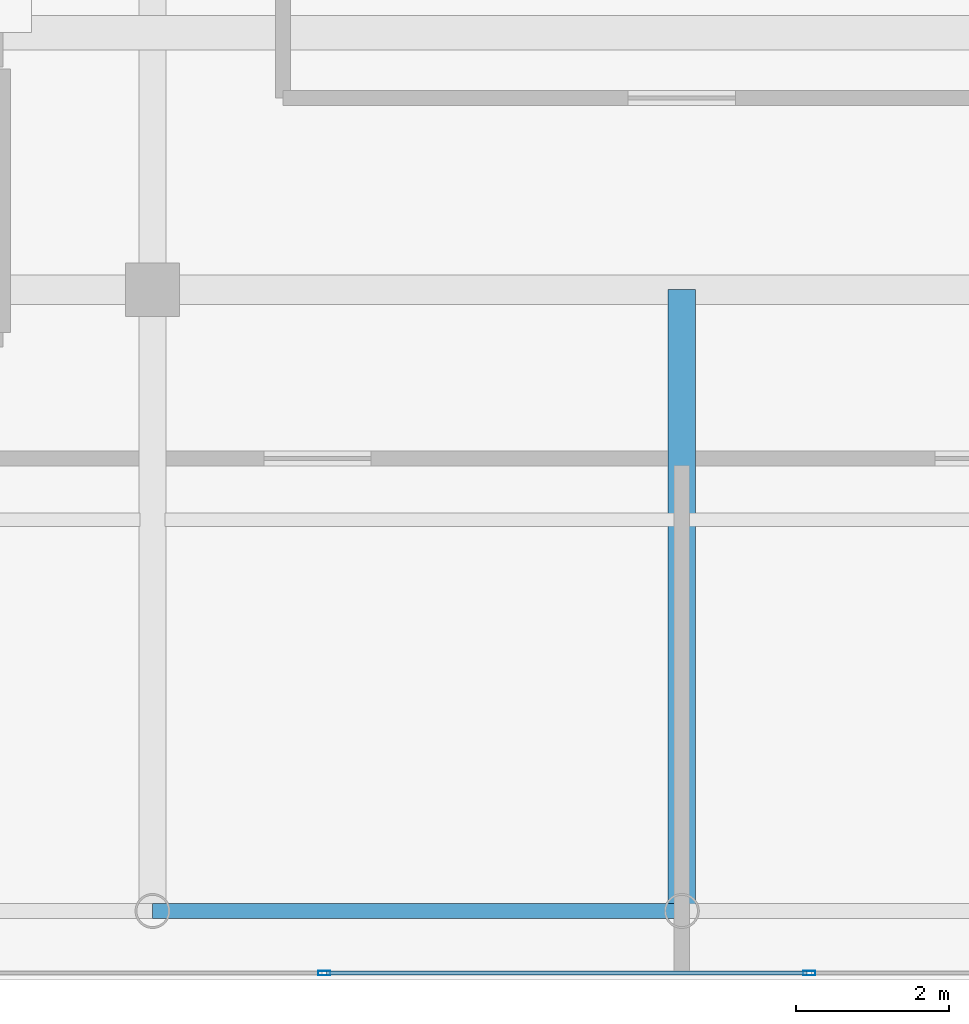
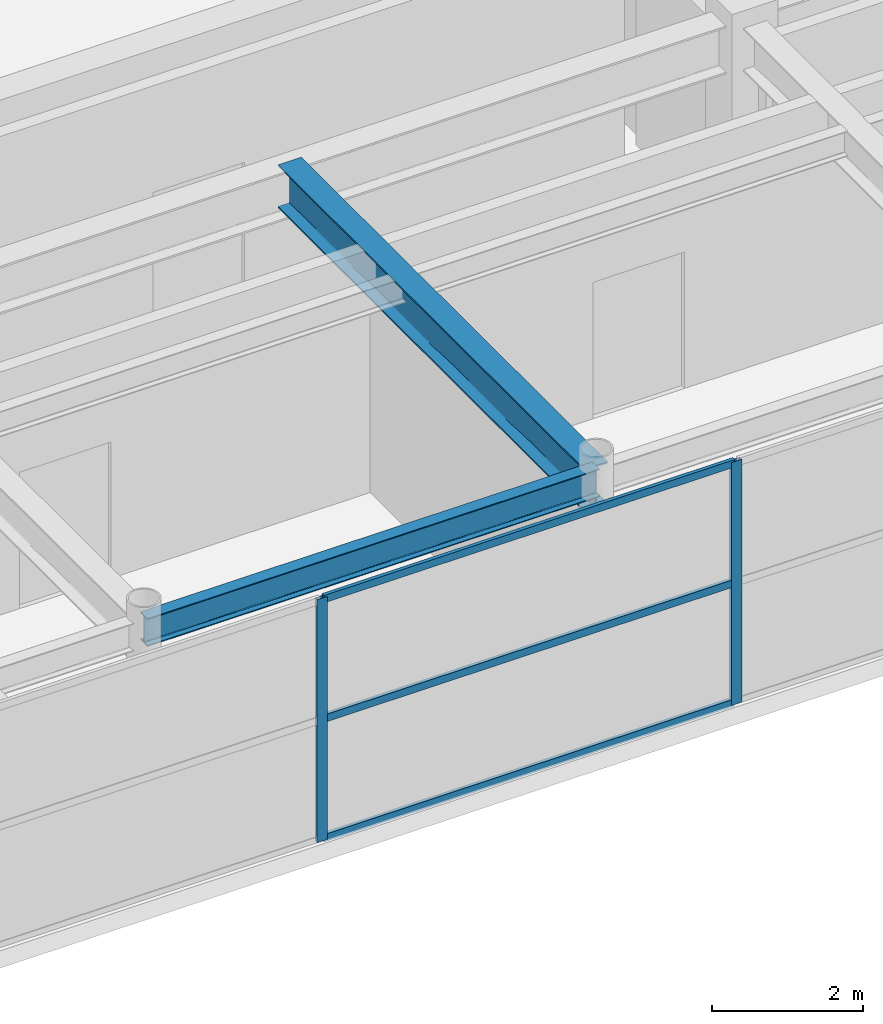
# One storey, part 7 of 32: 5 members, 2 beams, 1 element without a shape of its own.
"""IFC4 building model written with IfcOpenShell, lengths in metres."""

import ifcopenshell
import ifcopenshell.guid

model = None  # the IFC model being written
_history = None  # IfcOwnerHistory: only IFC2X3 demands one
_inside = {}  # id of a spatial element -> (the spatial element, [elements in it])
_under = {}  # id of a project, library or spatial element -> (it, [spatial elements below it])
_declared = {}  # id of a project -> (the project, [libraries it declares])
_typed = {}  # id of a type object -> (the type object, [elements of that type])
_made_of = {}  # id of a material, layer set ... -> (it, [elements and type objects made of it])


def new_model(schema):
    """Start an empty IFC model of exactly this schema.

    Asked for "IFC4X3", IfcOpenShell would pick the latest addendum, in which some entities
    have other attributes; the version numbers below select the first issue.
    IFC2X3 requires an IfcOwnerHistory on every rooted entity: one is made here for all.
    """
    global model, _history
    if schema == "IFC4X3":
        model = ifcopenshell.file(schema_version=(4, 3, 0, 0))
    else:
        model = ifcopenshell.file(schema=schema)
    _inside.clear()
    _under.clear()
    _declared.clear()
    _typed.clear()
    _made_of.clear()
    _history = None
    if model.schema == "IFC2X3":
        org = make("IfcOrganization", Name="unknown")
        user = make(
            "IfcPersonAndOrganization",
            ThePerson=make("IfcPerson", FamilyName="unknown"),
            TheOrganization=org,
        )
        app = make(
            "IfcApplication",
            ApplicationDeveloper=org,
            Version="unknown",
            ApplicationFullName="unknown",
            ApplicationIdentifier="unknown",
        )
        _history = make(
            "IfcOwnerHistory",
            OwningUser=user,
            OwningApplication=app,
            ChangeAction="ADDED",
            CreationDate=0,
        )
    return model


def make(cls, **values):
    """One entity of the class cls with the attributes given. An attribute that is None is left unset."""
    return model.create_entity(
        cls, **{name: value for name, value in values.items() if value is not None}
    )


def rooted(cls, **values):
    """An entity with a GlobalId (a new one), such as an element, a storey or a relation."""
    return make(cls, GlobalId=ifcopenshell.guid.new(), OwnerHistory=_history, **values)


def si_unit(unit_type, name, prefix=None):
    """IfcSIUnit, for example si_unit("LENGTHUNIT", "METRE", prefix="MILLI")."""
    return make("IfcSIUnit", UnitType=unit_type, Prefix=prefix, Name=name)


def assignment(units):
    """IfcUnitAssignment: the units of a project."""
    return None if units is None else make("IfcUnitAssignment", Units=units)


def point(xyz):
    """IfcCartesianPoint."""
    return None if xyz is None else make("IfcCartesianPoint", Coordinates=xyz)


def direction(xyz):
    """IfcDirection."""
    return None if xyz is None else make("IfcDirection", DirectionRatios=xyz)


def frame(location, z_axis=None, x_axis=None):
    """IfcAxis2Placement3D, a coordinate frame: its origin and axes. An axis left out is left unset."""
    return make(
        "IfcAxis2Placement3D",
        Location=point(location),
        Axis=direction(z_axis),
        RefDirection=direction(x_axis),
    )


def frame_2d(location, x_axis=None):
    """IfcAxis2Placement2D, a coordinate frame in the plane: its origin and x axis."""
    return make(
        "IfcAxis2Placement2D", Location=point(location), RefDirection=direction(x_axis)
    )


def origin():
    """The frame at (0, 0, 0) with its axes left unset."""
    return frame((0.0, 0.0, 0.0))


def origin_2d():
    """The frame at (0, 0) in the plane with its x axis left unset."""
    return frame_2d((0.0, 0.0))


def place(relative_to, where):
    """IfcLocalPlacement: puts the frame where relative to a parent placement (None: the world)."""
    return make(
        "IfcLocalPlacement", PlacementRelTo=relative_to, RelativePlacement=where
    )


def context(
    kind, dimensions, precision=None, world=None, true_north=None, identifier=None
):
    """IfcGeometricRepresentationContext, for example the 3D "Model" context."""
    return make(
        "IfcGeometricRepresentationContext",
        ContextIdentifier=identifier,
        ContextType=kind,
        CoordinateSpaceDimension=dimensions,
        Precision=precision,
        WorldCoordinateSystem=world,
        TrueNorth=true_north,
    )


def subcontext(parent, identifier, kind, view, scale=None):
    """IfcGeometricRepresentationSubContext, for example "Body" below "Model"."""
    return make(
        "IfcGeometricRepresentationSubContext",
        ContextIdentifier=identifier,
        ContextType=kind,
        ParentContext=parent,
        TargetScale=scale,
        TargetView=view,
    )


def project(units=None, contexts=None):
    """IfcProject with its units and contexts."""
    return rooted(
        "IfcProject",
        Name="project",
        RepresentationContexts=contexts,
        UnitsInContext=assignment(units),
    )


def spatial(cls, under=None, at=None, **own):
    """A site, building, storey or space (cls), placed at a placement, below another one or the project."""
    s = rooted(cls, ObjectPlacement=at, **own)
    if under is not None:
        _under.setdefault(under.id(), (under, []))[1].append(s)
    return s


def profile(cls, at=None, kind="AREA", **sizes):
    """A parametric profile (cls). Its sizes go by their IFC names, for example OverallWidth=200.0."""
    return make(cls, ProfileType=kind, Position=at, **sizes)


def hollow_rectangle(**sizes):
    """IfcRectangleHollowProfileDef."""
    return profile("IfcRectangleHollowProfileDef", **sizes)


def i_section(**sizes):
    """IfcIShapeProfileDef."""
    return profile("IfcIShapeProfileDef", **sizes)


def extrude(swept, where, along, depth):
    """IfcExtrudedAreaSolid: the profile swept, set in the frame where, extruded along a direction by depth."""
    return make(
        "IfcExtrudedAreaSolid",
        SweptArea=swept,
        Position=where,
        ExtrudedDirection=direction(along),
        Depth=depth,
    )


def shape(context_of_items, identifier, shape_type, items):
    """IfcShapeRepresentation: the items that make up one representation, for example the "Body"."""
    return make(
        "IfcShapeRepresentation",
        ContextOfItems=context_of_items,
        RepresentationIdentifier=identifier,
        RepresentationType=shape_type,
        Items=items,
    )


def source(mapping_origin, context_of_items, identifier, shape_type, items):
    """IfcRepresentationMap: a shape defined once, which mapped items show again and again."""
    return make(
        "IfcRepresentationMap",
        MappingOrigin=mapping_origin,
        MappedRepresentation=shape(context_of_items, identifier, shape_type, items),
    )


def transform(
    local_origin,
    x_axis=None,
    y_axis=None,
    z_axis=None,
    scale=None,
    scale2=None,
    scale3=None,
    uniform=True,
):
    """IfcCartesianTransformationOperator3D, or its non-uniform kind. x_axis, y_axis, z_axis: its Axis1, 2, 3."""
    if uniform:
        return make(
            "IfcCartesianTransformationOperator3D",
            Axis1=direction(x_axis),
            Axis2=direction(y_axis),
            LocalOrigin=point(local_origin),
            Scale=scale,
            Axis3=direction(z_axis),
        )
    return make(
        "IfcCartesianTransformationOperator3DnonUniform",
        Axis1=direction(x_axis),
        Axis2=direction(y_axis),
        LocalOrigin=point(local_origin),
        Scale=scale,
        Axis3=direction(z_axis),
        Scale2=scale2,
        Scale3=scale3,
    )


def mapped(mapping_source, mapping_target):
    """IfcMappedItem: shows the shape of a source again, moved by a transform."""
    return make(
        "IfcMappedItem", MappingSource=mapping_source, MappingTarget=mapping_target
    )


def material(Name=None, Category=None):
    """IfcMaterial."""
    return make("IfcMaterial", Name=Name, Category=Category)


def layer(
    of_material, thickness, ventilated=None, Name=None, Category=None, Priority=None
):
    """IfcMaterialLayer: one layer of a wall or slab, of a material (None: an air gap)."""
    return make(
        "IfcMaterialLayer",
        Material=of_material,
        LayerThickness=thickness,
        IsVentilated=ventilated,
        Name=Name,
        Category=Category,
        Priority=Priority,
    )


def layer_set(layers, Name=None):
    """IfcMaterialLayerSet."""
    return make("IfcMaterialLayerSet", MaterialLayers=layers, LayerSetName=Name)


def material_profile(
    of_material, cross_section, Name=None, Category=None, Priority=None
):
    """IfcMaterialProfile: a cross section and its material."""
    return make(
        "IfcMaterialProfile",
        Name=Name,
        Material=of_material,
        Profile=cross_section,
        Priority=Priority,
        Category=Category,
    )


def profile_set(profiles, Name=None, composite=None):
    """IfcMaterialProfileSet."""
    return make(
        "IfcMaterialProfileSet",
        Name=Name,
        MaterialProfiles=profiles,
        CompositeProfile=composite,
    )


def made_of(thing, what):
    """Note that an element or type object is made of a material, layer set ...; save() writes the relation."""
    if what is not None:
        _made_of.setdefault(what.id(), (what, []))[1].append(thing)
    return thing


def type_object(cls, material=None, **own):
    """A type object (cls), such as IfcWallType, which elements share."""
    return made_of(rooted(cls, **own), material)


def element(
    cls,
    number,
    at=None,
    inside=None,
    cuts=None,
    type_object=None,
    material=None,
    context=None,
    identifier="Body",
    shape_type=None,
    held_by="IfcProductDefinitionShape",
    body=None,
    shapes=None,
    **own,
):
    """One element of the class cls, such as IfcWall. Its Tag is "e" and its number.

    at: its placement. inside: the storey or other place that contains it. cuts: it is an
    opening in that element (IfcRelVoidsElement). A single representation is given by context,
    identifier, shape_type and body (its items); several are given by shapes. held_by: the class
    of the entity that holds the representations. save() writes the other relations.
    """
    e = rooted(cls, Tag="e%d" % number, ObjectPlacement=at, **own)
    if body is not None:
        shapes = [shape(context, identifier, shape_type, body)]
    if shapes is not None:
        e.Representation = make(held_by, Representations=shapes)
    if inside is not None:
        _inside.setdefault(inside.id(), (inside, []))[1].append(e)
    if cuts is not None:
        rooted(
            "IfcRelVoidsElement", RelatingBuildingElement=cuts, RelatedOpeningElement=e
        )
    if type_object is not None:
        _typed.setdefault(type_object.id(), (type_object, []))[1].append(e)
    return made_of(e, material)


def aggregate(whole, parts):
    """IfcRelAggregates: a whole, such as a stair, and the parts it consists of."""
    return rooted("IfcRelAggregates", RelatingObject=whole, RelatedObjects=parts)


def save(model, path):
    """Write the relations noted so far, then the file.

    IfcRelAggregates (storeys below a building ...), IfcRelContainedInSpatialStructure (elements
    in a storey), IfcRelDefinesByType, IfcRelAssociatesMaterial and IfcRelDeclares: one each for
    every whole, place, type object, material and project.
    """
    for whole, parts in _under.values():
        aggregate(whole, parts)
    for where, things in _inside.values():
        rooted(
            "IfcRelContainedInSpatialStructure",
            RelatedElements=things,
            RelatingStructure=where,
        )
    for kind, things in _typed.values():
        rooted("IfcRelDefinesByType", RelatedObjects=things, RelatingType=kind)
    for what, things in _made_of.values():
        rooted("IfcRelAssociatesMaterial", RelatedObjects=things, RelatingMaterial=what)
    for by, libraries in _declared.values():
        rooted("IfcRelDeclares", RelatingContext=by, RelatedDefinitions=libraries)
    model.write(path)


model = new_model("IFC4")

# Units and contexts
model_context = context("Model", 3, precision=1e-05, world=origin(), true_north=direction((0.0, 1.0)))
body_context = subcontext(model_context, "Body", "Model", "MODEL_VIEW")
ifc_project = project(units=[si_unit("LENGTHUNIT", "METRE"), si_unit("AREAUNIT", "SQUARE_METRE"), si_unit("VOLUMEUNIT", "CUBIC_METRE"), si_unit("PLANEANGLEUNIT", "RADIAN"), si_unit("MASSUNIT", "GRAM", prefix="KILO")], contexts=[model_context])

# Site, building, storey
site_placement = place(None, origin())
site = spatial("IfcSite", under=ifc_project, at=site_placement, CompositionType="ELEMENT")
building_placement = place(site_placement, origin())
building = spatial("IfcBuilding", under=site, at=building_placement, Name="Khoralis Quay Care Tower", CompositionType="ELEMENT")
storey_placement = place(building_placement, frame((0.0, 0.0, 310.5)))
storey = spatial("IfcBuildingStorey", under=building, at=storey_placement, Name="L81", CompositionType="ELEMENT", Elevation=310.5)

# Beams
ifc_material_1 = material(Name="Steel S355", Category="steel")
ifc_material_profile_1 = material_profile(ifc_material_1, i_section(OverallWidth=0.18994140625, OverallDepth=0.449951171875, WebThickness=0.009521484375, FlangeThickness=0.0146484375, FilletRadius=0.02099609375, at=origin_2d()), Name="Steel S355")
ifc_profile_set_1 = profile_set([ifc_material_profile_1], Name="Steel S355")
beam_type_1 = type_object("IfcBeamType", Name="BM-IPE450", PredefinedType="SPANDREL", material=ifc_profile_set_1)
shared_shape_1 = source(origin(), body_context, "Body", "SweptSolid", [
    extrude(i_section(OverallWidth=0.18994140625, OverallDepth=0.449951171875, WebThickness=0.009521484375, FlangeThickness=0.0146484375, FilletRadius=0.02099609375, at=origin_2d()), origin(), (0.0, 0.0, 1.0), 6.89990234375),
])
beam_1_placement = place(storey_placement, frame((17.10009765625, 3.89990234375, 3.695068359375), z_axis=(1.0, 0.0, 0.0), x_axis=(0.0, 1.0, 0.0)))
element("IfcBeam", 1, at=beam_1_placement, inside=storey, type_object=beam_type_1, Name="BM-TSP-L81-02", PredefinedType="SPANDREL", context=body_context, shape_type="MappedRepresentation", body=[
    mapped(shared_shape_1, transform((0.0, 0.0, 0.0), scale=1.0)),
])
ifc_material_profile_2 = material_profile(ifc_material_1, i_section(OverallWidth=0.35498046875, OverallDepth=0.695068359375, WebThickness=0.015380859375, FlangeThickness=0.02490234375, FilletRadius=0.02001953125, at=origin_2d()), Name="Steel S355")
ifc_profile_set_2 = profile_set([ifc_material_profile_2], Name="Steel S355")
beam_type_2 = type_object("IfcBeamType", Name="BM-W690X217", PredefinedType="BEAM", material=ifc_profile_set_2)
shared_shape_2 = source(origin(), body_context, "Body", "SweptSolid", [
    extrude(i_section(OverallWidth=0.35498046875, OverallDepth=0.695068359375, WebThickness=0.015380859375, FlangeThickness=0.02490234375, FilletRadius=0.02001953125, at=origin_2d()), origin(), (0.0, 0.0, 1.0), 8.10009765625),
])
beam_2_placement = place(storey_placement, frame((24.0, 3.89990234375, 3.572509765625), z_axis=(0.0, 1.0, 0.0), x_axis=(-1.0, 0.0, 0.0)))
element("IfcBeam", 2, at=beam_2_placement, inside=storey, type_object=beam_type_2, Name="BM-TGYS-L81-240", PredefinedType="BEAM", context=body_context, shape_type="MappedRepresentation", body=[
    mapped(shared_shape_2, transform((0.0, 0.0, 0.0), scale=1.0)),
])

# Curtain wall, members
ifc_material_2 = material(Name="Pale anodised aluminium", Category="aluminium")
ifc_layer = layer(ifc_material_2, 0.199951171875)
ifc_layer_set = layer_set([ifc_layer], Name="Pale anodised aluminium")
curtain_wall_type = type_object("IfcCurtainWallType", Name="CW-SYS-LANTERN", PredefinedType="NOTDEFINED", material=ifc_layer_set)
curtain_wall_placement = place(storey_placement, origin())
curtain_wall = element("IfcCurtainWall", 3, at=curtain_wall_placement, inside=storey, type_object=curtain_wall_type, Name="L81 Unitised Curtain Wall CW-LN-L81-01", PredefinedType="NOTDEFINED")
ifc_material_profile_3 = material_profile(ifc_material_2, hollow_rectangle(XDim=0.054931640625, YDim=0.1201171875, WallThickness=0.00390625, at=origin_2d()), Name="Pale anodised aluminium")
ifc_profile_set_3 = profile_set([ifc_material_profile_3], Name="Pale anodised aluminium")
member_type_1 = type_object("IfcMemberType", Name="CW-TRN-120", PredefinedType="USERDEFINED", material=ifc_profile_set_3)
shared_shape_3 = source(origin(), body_context, "Body", "SweptSolid", [
    extrude(hollow_rectangle(XDim=0.054931640625, YDim=0.1201171875, WallThickness=0.00390625, at=origin_2d()), origin(), (0.0, 0.0, 1.0), 6.26416015625),
])
member_1_placement = place(storey_placement, frame((19.367919921875, 3.090087890625, 0.030029296875), z_axis=(1.0, 0.0, 0.0), x_axis=(0.0, 1.0, 0.0)))
member_1 = element("IfcMember", 4, at=member_1_placement, type_object=member_type_1, Name="CW5 transom 3.1", ObjectType="TRANSOM", PredefinedType="USERDEFINED", context=body_context, shape_type="MappedRepresentation", body=[
    mapped(shared_shape_3, transform((0.0, 0.0, 0.0), scale=1.0)),
])
member_2_placement = place(storey_placement, frame((19.367919921875, 3.090087890625, 1.9599609375), z_axis=(1.0, 0.0, 0.0), x_axis=(0.0, 1.0, 0.0)))
member_2 = element("IfcMember", 5, at=member_2_placement, type_object=member_type_1, Name="CW5 transom 3.2", ObjectType="TRANSOM", PredefinedType="USERDEFINED", context=body_context, shape_type="MappedRepresentation", body=[
    mapped(shared_shape_3, transform((0.0, 0.0, 0.0), scale=1.0)),
])
member_3_placement = place(storey_placement, frame((19.367919921875, 3.090087890625, 3.889892578125), z_axis=(1.0, 0.0, 0.0), x_axis=(0.0, 1.0, 0.0)))
member_3 = element("IfcMember", 6, at=member_3_placement, type_object=member_type_1, Name="CW5 transom 3.3", ObjectType="TRANSOM", PredefinedType="USERDEFINED", context=body_context, shape_type="MappedRepresentation", body=[
    mapped(shared_shape_3, transform((0.0, 0.0, 0.0), scale=1.0)),
])
ifc_material_profile_4 = material_profile(ifc_material_2, hollow_rectangle(XDim=0.06005859375, YDim=0.159912109375, WallThickness=0.00390625, at=origin_2d()), Name="Pale anodised aluminium")
ifc_profile_set_4 = profile_set([ifc_material_profile_4], Name="Pale anodised aluminium")
member_type_2 = type_object("IfcMemberType", Name="CW-MUL-160", PredefinedType="MULLION", material=ifc_profile_set_4)
shared_shape_4 = source(origin(), body_context, "Body", "SweptSolid", [
    extrude(hollow_rectangle(XDim=0.06005859375, YDim=0.159912109375, WallThickness=0.00390625, at=origin_2d()), origin(), (0.0, 0.0, 1.0), 3.919921875),
])
member_4_placement = place(storey_placement, frame((19.337890625, 3.090087890625, 0.0), z_axis=(0.0, 0.0, 1.0), x_axis=(0.0, 1.0, 0.0)))
member_4 = element("IfcMember", 7, at=member_4_placement, type_object=member_type_2, Name="CW5 mullion 3", PredefinedType="MULLION", context=body_context, shape_type="MappedRepresentation", body=[
    mapped(shared_shape_4, transform((0.0, 0.0, 0.0), scale=1.0)),
])
member_5_placement = place(storey_placement, frame((25.662109375, 3.090087890625, 0.0), z_axis=(0.0, 0.0, 1.0), x_axis=(0.0, 1.0, 0.0)))
member_5 = element("IfcMember", 8, at=member_5_placement, type_object=member_type_2, Name="CW5 mullion 4", PredefinedType="MULLION", context=body_context, shape_type="MappedRepresentation", body=[
    mapped(shared_shape_4, transform((0.0, 0.0, 0.0), scale=1.0)),
])
aggregate(curtain_wall, [member_4, member_5, member_1, member_2, member_3])

save(model, "model.ifc")
